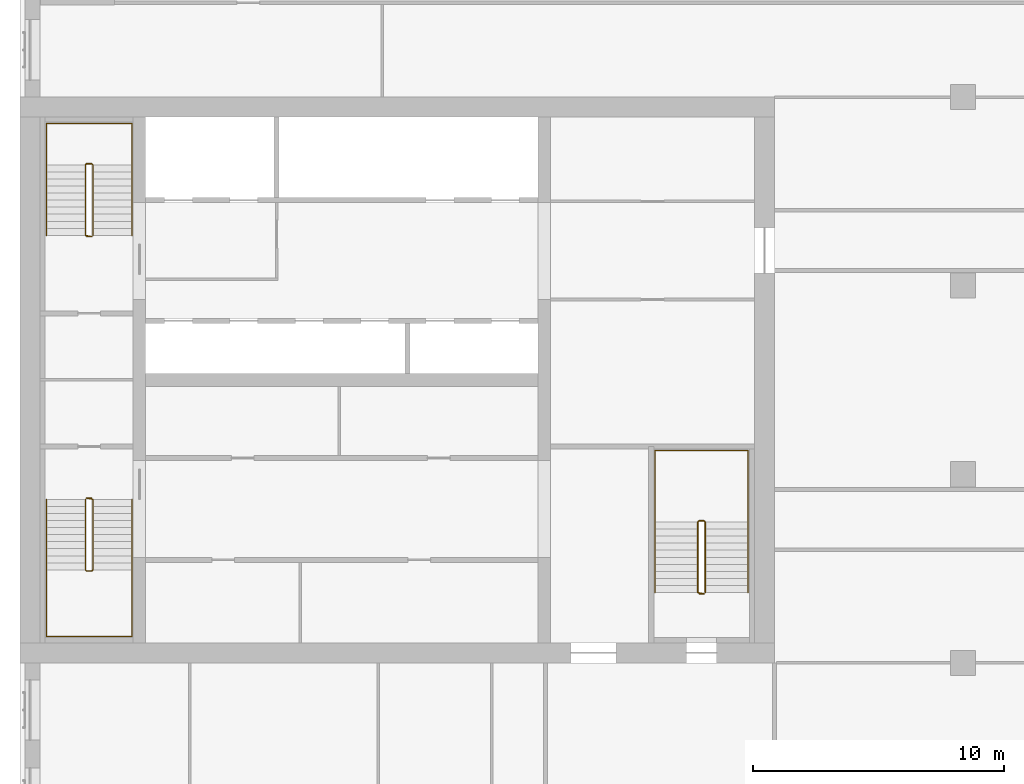
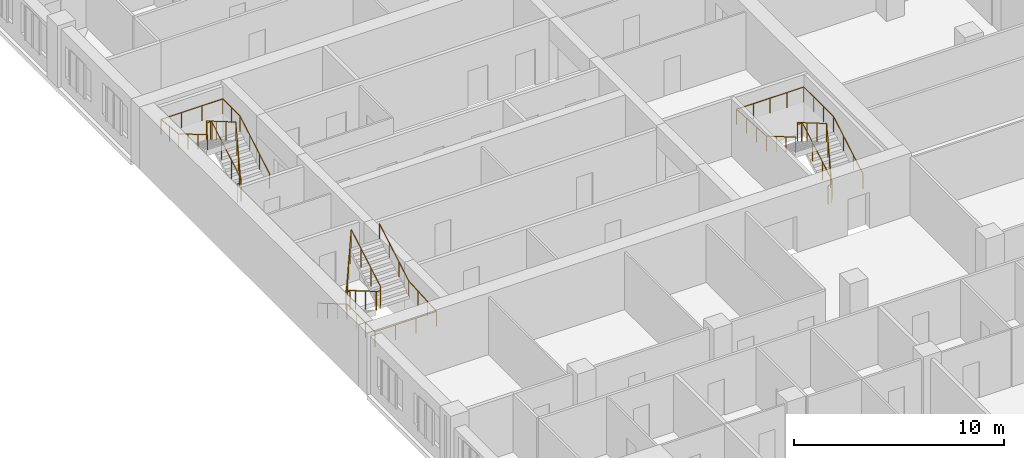
# One storey, part 14 of 14: 6 railings.
"""IFC4 building model written with IfcOpenShell, lengths in metres."""

from ifc_helpers import new_model, si_unit, direction, frame, origin, origin_2d, place, context, subcontext, project, spatial, circle, extrude, material, type_object, element, save


model = new_model("IFC4")

# Units and contexts
model_context = context("Model", 3, precision=1e-05, world=origin(), true_north=direction((0.0, 1.0)))
body_context = subcontext(model_context, "Body", "Model", "MODEL_VIEW")
ifc_project = project(units=[si_unit("LENGTHUNIT", "METRE"), si_unit("AREAUNIT", "SQUARE_METRE"), si_unit("VOLUMEUNIT", "CUBIC_METRE"), si_unit("PLANEANGLEUNIT", "RADIAN"), si_unit("MASSUNIT", "GRAM", prefix="KILO")], contexts=[model_context])

# Site, building, storey
site_placement = place(None, origin())
site = spatial("IfcSite", under=ifc_project, at=site_placement, CompositionType="ELEMENT")
building_placement = place(site_placement, origin())
building = spatial("IfcBuilding", under=site, at=building_placement, Name="Tamorin Gate", CompositionType="ELEMENT")
storey_placement = place(building_placement, frame((0.0, 0.0, 137.39990234375)))
storey = spatial("IfcBuildingStorey", under=building, at=storey_placement, Name="L33", CompositionType="ELEMENT", Elevation=137.39990234375)

# Railings
ifc_material_1 = material(Name="Painted steel balustrade", Category="steel")
railing_type_1 = type_object("IfcRailingType", Name="Stair guard 1100", PredefinedType="GUARDRAIL", material=ifc_material_1)
railing_1_placement = place(storey_placement, frame((32.60009765625, 66.5, 0.163818359375)))
element("IfcRailing", 1, at=railing_1_placement, inside=storey, type_object=railing_type_1, Name="L33 ST1 stair guard 1", PredefinedType="GUARDRAIL", context=body_context, shape_type="SweptSolid", body=[
    extrude(circle(Radius=0.02392578125, at=origin_2d()), frame((0.0, 0.0, 1.076171875), z_axis=(0.0, -0.863393664356, 0.504530851732), x_axis=(1.0, 0.0, 0.0)), (0.0, 0.0, 1.0), 3.2431640625),
    extrude(circle(Radius=0.02392578125, at=origin_2d()), frame((0.0, -2.800048828125, 2.71240234375), z_axis=(0.705375805398, -0.708833529934, 0.0), x_axis=(0.708833529934, 0.705375805398, 0.0)), (0.0, 0.0, 1.0), 0.070556640625),
    extrude(circle(Radius=0.02392578125, at=origin_2d()), frame((0.0498046875, -2.85009765625, 2.71240234375), z_axis=(1.0, 0.0, 0.0), x_axis=(0.0, 1.0, 0.0)), (0.0, 0.0, 1.0), 0.2001953125),
    extrude(circle(Radius=0.02392578125, at=origin_2d()), frame((0.25, -2.85009765625, 2.71240234375), z_axis=(0.279546231943, 0.280916556609, 0.91811752648), x_axis=(-0.708833529934, 0.705375805398, 0.0)), (0.0, 0.0, 1.0), 0.17822265625),
    extrude(circle(Radius=0.02392578125, at=origin_2d()), frame((0.2998046875, -2.800048828125, 2.8759765625), z_axis=(0.0, 0.863360870873, 0.504586966384), x_axis=(-1.0, 0.0, 0.0)), (0.0, 0.0, 1.0), 3.2431640625),
    extrude(circle(Radius=0.02392578125, at=origin_2d()), frame((0.2998046875, 0.0, 4.51220703125), z_axis=(-0.069269067181, 0.013867342551, -0.997501625634), x_axis=(-0.196300278283, -0.98054382908, 0.0)), (0.0, 0.0, 1.0), 3.609130859375),
    extrude(circle(Radius=0.02392578125, at=origin_2d()), frame((0.0498046875, 0.050048828125, 0.912109375), z_axis=(1.0, 0.0, 0.0), x_axis=(0.0, 1.0, 0.0)), (0.0, 0.0, 1.0), 0.2001953125),
    extrude(circle(Radius=0.02099609375, at=origin_2d()), origin(), (0.0, 0.0, 1.0), 1.052001953125),
    extrude(circle(Radius=0.02099609375, at=origin_2d()), frame((0.0, -0.933349609375, 0.54541015625)), (0.0, 0.0, 1.0), 1.052001953125),
    extrude(circle(Radius=0.02099609375, at=origin_2d()), frame((0.0, -1.86669921875, 1.0908203125)), (0.0, 0.0, 1.0), 1.052001953125),
    extrude(circle(Radius=0.02099609375, at=origin_2d()), frame((0.0, -2.800048828125, 1.63623046875)), (0.0, 0.0, 1.0), 1.052001953125),
    extrude(circle(Radius=0.02099609375, at=origin_2d()), frame((0.0498046875, -2.85009765625, 1.63623046875)), (0.0, 0.0, 1.0), 1.052001953125),
    extrude(circle(Radius=0.02099609375, at=origin_2d()), frame((0.25, -2.85009765625, 1.63623046875)), (0.0, 0.0, 1.0), 1.052001953125),
    extrude(circle(Radius=0.02099609375, at=origin_2d()), frame((0.2998046875, -2.800048828125, 1.7998046875)), (0.0, 0.0, 1.0), 1.052001953125),
    extrude(circle(Radius=0.02099609375, at=origin_2d()), frame((0.2998046875, -1.86669921875, 2.34521484375)), (0.0, 0.0, 1.0), 1.052001953125),
    extrude(circle(Radius=0.02099609375, at=origin_2d()), frame((0.2998046875, -0.933349609375, 2.890869140625)), (0.0, 0.0, 1.0), 1.052001953125),
    extrude(circle(Radius=0.02099609375, at=origin_2d()), frame((0.2998046875, 0.0, 3.436279296875)), (0.0, 0.0, 1.0), 1.052001953125),
    extrude(circle(Radius=0.02099609375, at=origin_2d()), frame((0.2373046875, 0.012451171875, 2.5361328125)), (0.0, 0.0, 1.0), 1.052001953125),
    extrude(circle(Radius=0.02099609375, at=origin_2d()), frame((0.1748046875, 0.02490234375, 1.63623046875)), (0.0, 0.0, 1.0), 1.052001953125),
    extrude(circle(Radius=0.02099609375, at=origin_2d()), frame((0.1123046875, 0.03759765625, 0.736328125)), (0.0, 0.0, 1.0), 1.052001953125),
    extrude(circle(Radius=0.02099609375, at=origin_2d()), frame((0.0498046875, 0.050048828125, -0.163818359375)), (0.0, 0.0, 1.0), 1.052001953125),
    extrude(circle(Radius=0.02099609375, at=origin_2d()), frame((0.25, 0.050048828125, -0.163818359375)), (0.0, 0.0, 1.0), 1.052001953125),
])
railing_2_placement = place(storey_placement, frame((32.89990234375, 77.0, 0.163818359375)))
element("IfcRailing", 2, at=railing_2_placement, inside=storey, type_object=railing_type_1, Name="L33 ST2 stair guard 1", PredefinedType="GUARDRAIL", context=body_context, shape_type="SweptSolid", body=[
    extrude(circle(Radius=0.02392578125, at=origin_2d()), frame((0.0, 0.0, 1.076171875), z_axis=(0.0, 0.863393664356, 0.504530851732), x_axis=(-1.0, 0.0, 0.0)), (0.0, 0.0, 1.0), 3.2431640625),
    extrude(circle(Radius=0.02392578125, at=origin_2d()), frame((0.0, 2.800048828125, 2.71240234375), z_axis=(-0.705375805398, 0.708833529934, 0.0), x_axis=(-0.708833529934, -0.705375805398, 0.0)), (0.0, 0.0, 1.0), 0.070556640625),
    extrude(circle(Radius=0.02392578125, at=origin_2d()), frame((-0.0498046875, 2.85009765625, 2.71240234375), z_axis=(-1.0, 0.0, 0.0), x_axis=(0.0, -1.0, 0.0)), (0.0, 0.0, 1.0), 0.2001953125),
    extrude(circle(Radius=0.02392578125, at=origin_2d()), frame((-0.25, 2.85009765625, 2.71240234375), z_axis=(-0.279546231943, -0.280916556609, 0.91811752648), x_axis=(0.708833529934, -0.705375805398, 0.0)), (0.0, 0.0, 1.0), 0.17822265625),
    extrude(circle(Radius=0.02392578125, at=origin_2d()), frame((-0.2998046875, 2.800048828125, 2.8759765625), z_axis=(0.0, -0.863360870873, 0.504586966384), x_axis=(1.0, 0.0, 0.0)), (0.0, 0.0, 1.0), 3.2431640625),
    extrude(circle(Radius=0.02392578125, at=origin_2d()), frame((-0.2998046875, 0.0, 4.51220703125), z_axis=(0.069269067181, -0.013867342551, -0.997501625634), x_axis=(0.196300278283, 0.98054382908, 0.0)), (0.0, 0.0, 1.0), 3.609130859375),
    extrude(circle(Radius=0.02392578125, at=origin_2d()), frame((-0.0498046875, -0.050048828125, 0.912109375), z_axis=(-1.0, 0.0, 0.0), x_axis=(0.0, -1.0, 0.0)), (0.0, 0.0, 1.0), 0.2001953125),
    extrude(circle(Radius=0.02099609375, at=origin_2d()), origin(), (0.0, 0.0, 1.0), 1.052001953125),
    extrude(circle(Radius=0.02099609375, at=origin_2d()), frame((0.0, 0.933349609375, 0.54541015625)), (0.0, 0.0, 1.0), 1.052001953125),
    extrude(circle(Radius=0.02099609375, at=origin_2d()), frame((0.0, 1.86669921875, 1.0908203125)), (0.0, 0.0, 1.0), 1.052001953125),
    extrude(circle(Radius=0.02099609375, at=origin_2d()), frame((0.0, 2.800048828125, 1.63623046875)), (0.0, 0.0, 1.0), 1.052001953125),
    extrude(circle(Radius=0.02099609375, at=origin_2d()), frame((-0.0498046875, 2.85009765625, 1.63623046875)), (0.0, 0.0, 1.0), 1.052001953125),
    extrude(circle(Radius=0.02099609375, at=origin_2d()), frame((-0.25, 2.85009765625, 1.63623046875)), (0.0, 0.0, 1.0), 1.052001953125),
    extrude(circle(Radius=0.02099609375, at=origin_2d()), frame((-0.2998046875, 2.800048828125, 1.7998046875)), (0.0, 0.0, 1.0), 1.052001953125),
    extrude(circle(Radius=0.02099609375, at=origin_2d()), frame((-0.2998046875, 1.86669921875, 2.34521484375)), (0.0, 0.0, 1.0), 1.052001953125),
    extrude(circle(Radius=0.02099609375, at=origin_2d()), frame((-0.2998046875, 0.933349609375, 2.890869140625)), (0.0, 0.0, 1.0), 1.052001953125),
    extrude(circle(Radius=0.02099609375, at=origin_2d()), frame((-0.2998046875, 0.0, 3.436279296875)), (0.0, 0.0, 1.0), 1.052001953125),
    extrude(circle(Radius=0.02099609375, at=origin_2d()), frame((-0.2373046875, -0.012451171875, 2.5361328125)), (0.0, 0.0, 1.0), 1.052001953125),
    extrude(circle(Radius=0.02099609375, at=origin_2d()), frame((-0.1748046875, -0.02490234375, 1.63623046875)), (0.0, 0.0, 1.0), 1.052001953125),
    extrude(circle(Radius=0.02099609375, at=origin_2d()), frame((-0.1123046875, -0.03759765625, 0.736328125)), (0.0, 0.0, 1.0), 1.052001953125),
    extrude(circle(Radius=0.02099609375, at=origin_2d()), frame((-0.0498046875, -0.050048828125, -0.163818359375)), (0.0, 0.0, 1.0), 1.052001953125),
    extrude(circle(Radius=0.02099609375, at=origin_2d()), frame((-0.25, -0.050048828125, -0.163818359375)), (0.0, 0.0, 1.0), 1.052001953125),
])
railing_3_placement = place(storey_placement, frame((57.25, 62.800048828125, 0.163818359375)))
element("IfcRailing", 3, at=railing_3_placement, inside=storey, type_object=railing_type_1, Name="L33 ST3 stair guard 1", PredefinedType="GUARDRAIL", context=body_context, shape_type="SweptSolid", body=[
    extrude(circle(Radius=0.02392578125, at=origin_2d()), frame((0.0, 0.0, 1.076171875), z_axis=(0.0, 0.863393664356, 0.504530851732), x_axis=(-1.0, 0.0, 0.0)), (0.0, 0.0, 1.0), 3.2431640625),
    extrude(circle(Radius=0.02392578125, at=origin_2d()), frame((0.0, 2.800048828125, 2.71240234375), z_axis=(-0.708833529934, 0.705375805398, 0.0), x_axis=(-0.705375805398, -0.708833529934, 0.0)), (0.0, 0.0, 1.0), 0.070556640625),
    extrude(circle(Radius=0.02392578125, at=origin_2d()), frame((-0.050048828125, 2.849853515625, 2.71240234375), z_axis=(-1.0, 0.0, 0.0), x_axis=(0.0, -1.0, 0.0)), (0.0, 0.0, 1.0), 0.199951171875),
    extrude(circle(Radius=0.02392578125, at=origin_2d()), frame((-0.25, 2.849853515625, 2.71240234375), z_axis=(-0.280916556609, -0.279546231943, 0.91811752648), x_axis=(0.705375805398, -0.708833529934, 0.0)), (0.0, 0.0, 1.0), 0.17822265625),
    extrude(circle(Radius=0.02392578125, at=origin_2d()), frame((-0.300048828125, 2.800048828125, 2.8759765625), z_axis=(0.0, -0.863360870873, 0.504586966384), x_axis=(1.0, 0.0, 0.0)), (0.0, 0.0, 1.0), 3.2431640625),
    extrude(circle(Radius=0.02392578125, at=origin_2d()), frame((-0.300048828125, 0.0, 4.51220703125), z_axis=(0.069269067181, -0.013867342551, -0.997501625634), x_axis=(0.196300278283, 0.98054382908, 0.0)), (0.0, 0.0, 1.0), 3.609130859375),
    extrude(circle(Radius=0.02392578125, at=origin_2d()), frame((-0.050048828125, -0.050048828125, 0.912109375), z_axis=(-1.0, 0.0, 0.0), x_axis=(0.0, -1.0, 0.0)), (0.0, 0.0, 1.0), 0.199951171875),
    extrude(circle(Radius=0.02099609375, at=origin_2d()), origin(), (0.0, 0.0, 1.0), 1.052001953125),
    extrude(circle(Radius=0.02099609375, at=origin_2d()), frame((0.0, 0.933349609375, 0.54541015625)), (0.0, 0.0, 1.0), 1.052001953125),
    extrude(circle(Radius=0.02099609375, at=origin_2d()), frame((0.0, 1.86669921875, 1.0908203125)), (0.0, 0.0, 1.0), 1.052001953125),
    extrude(circle(Radius=0.02099609375, at=origin_2d()), frame((0.0, 2.800048828125, 1.63623046875)), (0.0, 0.0, 1.0), 1.052001953125),
    extrude(circle(Radius=0.02099609375, at=origin_2d()), frame((-0.050048828125, 2.849853515625, 1.63623046875)), (0.0, 0.0, 1.0), 1.052001953125),
    extrude(circle(Radius=0.02099609375, at=origin_2d()), frame((-0.25, 2.849853515625, 1.63623046875)), (0.0, 0.0, 1.0), 1.052001953125),
    extrude(circle(Radius=0.02099609375, at=origin_2d()), frame((-0.300048828125, 2.800048828125, 1.7998046875)), (0.0, 0.0, 1.0), 1.052001953125),
    extrude(circle(Radius=0.02099609375, at=origin_2d()), frame((-0.300048828125, 1.86669921875, 2.34521484375)), (0.0, 0.0, 1.0), 1.052001953125),
    extrude(circle(Radius=0.02099609375, at=origin_2d()), frame((-0.300048828125, 0.933349609375, 2.890869140625)), (0.0, 0.0, 1.0), 1.052001953125),
    extrude(circle(Radius=0.02099609375, at=origin_2d()), frame((-0.300048828125, 0.0, 3.436279296875)), (0.0, 0.0, 1.0), 1.052001953125),
    extrude(circle(Radius=0.02099609375, at=origin_2d()), frame((-0.237548828125, -0.012451171875, 2.5361328125)), (0.0, 0.0, 1.0), 1.052001953125),
    extrude(circle(Radius=0.02099609375, at=origin_2d()), frame((-0.175048828125, -0.02490234375, 1.63623046875)), (0.0, 0.0, 1.0), 1.052001953125),
    extrude(circle(Radius=0.02099609375, at=origin_2d()), frame((-0.112548828125, -0.03759765625, 0.736328125)), (0.0, 0.0, 1.0), 1.052001953125),
    extrude(circle(Radius=0.02099609375, at=origin_2d()), frame((-0.050048828125, -0.050048828125, -0.163818359375)), (0.0, 0.0, 1.0), 1.052001953125),
    extrude(circle(Radius=0.02099609375, at=origin_2d()), frame((-0.25, -0.050048828125, -0.163818359375)), (0.0, 0.0, 1.0), 1.052001953125),
])
ifc_material_2 = material(Name="Painted steel handrail", Category="steel")
railing_type_2 = type_object("IfcRailingType", Name="Stair handrail 900", PredefinedType="HANDRAIL", material=ifc_material_2)
railing_4_placement = place(storey_placement, frame((31.050048828125, 66.5, 0.163818359375)))
element("IfcRailing", 4, at=railing_4_placement, inside=storey, type_object=railing_type_2, Name="L33 ST1 stair handrail 1", PredefinedType="HANDRAIL", context=body_context, shape_type="SweptSolid", body=[
    extrude(circle(Radius=0.02392578125, at=origin_2d()), frame((0.0, 0.0, 0.8759765625), z_axis=(0.0, -0.863393664356, 0.504530851732), x_axis=(1.0, 0.0, 0.0)), (0.0, 0.0, 1.0), 3.2431640625),
    extrude(circle(Radius=0.02392578125, at=origin_2d()), frame((0.0, -2.800048828125, 2.51220703125), z_axis=(0.0, -1.0, 0.0), x_axis=(1.0, 0.0, 0.0)), (0.0, 0.0, 1.0), 2.64990234375),
    extrude(circle(Radius=0.02392578125, at=origin_2d()), frame((0.0, -5.449951171875, 2.51220703125), z_axis=(1.0, 0.0, 0.0), x_axis=(0.0, 1.0, 0.0)), (0.0, 0.0, 1.0), 3.39990234375),
    extrude(circle(Radius=0.02392578125, at=origin_2d()), frame((3.39990234375, -5.449951171875, 2.51220703125), z_axis=(0.0, 0.998100230056, 0.061611125312), x_axis=(-1.0, 0.0, 0.0)), (0.0, 0.0, 1.0), 2.655029296875),
    extrude(circle(Radius=0.02392578125, at=origin_2d()), frame((3.39990234375, -2.800048828125, 2.67578125), z_axis=(0.0, 0.863360870873, 0.504586966384), x_axis=(-1.0, 0.0, 0.0)), (0.0, 0.0, 1.0), 3.2431640625),
    extrude(circle(Radius=0.02099609375, at=origin_2d()), origin(), (0.0, 0.0, 1.0), 0.851806640625),
    extrude(circle(Radius=0.02099609375, at=origin_2d()), frame((0.0, -0.933349609375, 0.54541015625)), (0.0, 0.0, 1.0), 0.851806640625),
    extrude(circle(Radius=0.02099609375, at=origin_2d()), frame((0.0, -1.86669921875, 1.0908203125)), (0.0, 0.0, 1.0), 0.851806640625),
    extrude(circle(Radius=0.02099609375, at=origin_2d()), frame((0.0, -2.800048828125, 1.63623046875)), (0.0, 0.0, 1.0), 0.851806640625),
    extrude(circle(Radius=0.02099609375, at=origin_2d()), frame((0.0, -3.683349609375, 1.63623046875)), (0.0, 0.0, 1.0), 0.851806640625),
    extrude(circle(Radius=0.02099609375, at=origin_2d()), frame((0.0, -4.566650390625, 1.63623046875)), (0.0, 0.0, 1.0), 0.851806640625),
    extrude(circle(Radius=0.02099609375, at=origin_2d()), frame((0.0, -5.449951171875, 1.63623046875)), (0.0, 0.0, 1.0), 0.851806640625),
    extrude(circle(Radius=0.02099609375, at=origin_2d()), frame((1.13330078125, -5.449951171875, 1.63623046875)), (0.0, 0.0, 1.0), 0.851806640625),
    extrude(circle(Radius=0.02099609375, at=origin_2d()), frame((2.2666015625, -5.449951171875, 1.63623046875)), (0.0, 0.0, 1.0), 0.851806640625),
    extrude(circle(Radius=0.02099609375, at=origin_2d()), frame((3.39990234375, -5.449951171875, 1.63623046875)), (0.0, 0.0, 1.0), 0.851806640625),
    extrude(circle(Radius=0.02099609375, at=origin_2d()), frame((3.39990234375, -4.566650390625, 1.690673828125)), (0.0, 0.0, 1.0), 0.851806640625),
    extrude(circle(Radius=0.02099609375, at=origin_2d()), frame((3.39990234375, -3.683349609375, 1.745361328125)), (0.0, 0.0, 1.0), 0.851806640625),
    extrude(circle(Radius=0.02099609375, at=origin_2d()), frame((3.39990234375, -2.800048828125, 1.7998046875)), (0.0, 0.0, 1.0), 0.851806640625),
    extrude(circle(Radius=0.02099609375, at=origin_2d()), frame((3.39990234375, -1.86669921875, 2.34521484375)), (0.0, 0.0, 1.0), 0.851806640625),
    extrude(circle(Radius=0.02099609375, at=origin_2d()), frame((3.39990234375, -0.933349609375, 2.890869140625)), (0.0, 0.0, 1.0), 0.851806640625),
    extrude(circle(Radius=0.02099609375, at=origin_2d()), frame((3.39990234375, 0.0, 3.436279296875)), (0.0, 0.0, 1.0), 0.851806640625),
])
railing_5_placement = place(storey_placement, frame((34.449951171875, 77.0, 0.163818359375)))
element("IfcRailing", 5, at=railing_5_placement, inside=storey, type_object=railing_type_2, Name="L33 ST2 stair handrail 1", PredefinedType="HANDRAIL", context=body_context, shape_type="SweptSolid", body=[
    extrude(circle(Radius=0.02392578125, at=origin_2d()), frame((0.0, 0.0, 0.8759765625), z_axis=(0.0, 0.863393664356, 0.504530851732), x_axis=(-1.0, 0.0, 0.0)), (0.0, 0.0, 1.0), 3.2431640625),
    extrude(circle(Radius=0.02392578125, at=origin_2d()), frame((0.0, 2.800048828125, 2.51220703125), z_axis=(0.0, 1.0, 0.0), x_axis=(-1.0, 0.0, 0.0)), (0.0, 0.0, 1.0), 1.64990234375),
    extrude(circle(Radius=0.02392578125, at=origin_2d()), frame((0.0, 4.449951171875, 2.51220703125), z_axis=(-1.0, 0.0, 0.0), x_axis=(0.0, -1.0, 0.0)), (0.0, 0.0, 1.0), 3.39990234375),
    extrude(circle(Radius=0.02392578125, at=origin_2d()), frame((-3.39990234375, 4.449951171875, 2.51220703125), z_axis=(0.0, -0.995121390814, 0.098658084026), x_axis=(1.0, 0.0, 0.0)), (0.0, 0.0, 1.0), 1.657958984375),
    extrude(circle(Radius=0.02392578125, at=origin_2d()), frame((-3.39990234375, 2.800048828125, 2.67578125), z_axis=(0.0, -0.863360870873, 0.504586966384), x_axis=(1.0, 0.0, 0.0)), (0.0, 0.0, 1.0), 3.2431640625),
    extrude(circle(Radius=0.02099609375, at=origin_2d()), origin(), (0.0, 0.0, 1.0), 0.851806640625),
    extrude(circle(Radius=0.02099609375, at=origin_2d()), frame((0.0, 0.933349609375, 0.54541015625)), (0.0, 0.0, 1.0), 0.851806640625),
    extrude(circle(Radius=0.02099609375, at=origin_2d()), frame((0.0, 1.86669921875, 1.0908203125)), (0.0, 0.0, 1.0), 0.851806640625),
    extrude(circle(Radius=0.02099609375, at=origin_2d()), frame((0.0, 2.800048828125, 1.63623046875)), (0.0, 0.0, 1.0), 0.851806640625),
    extrude(circle(Radius=0.02099609375, at=origin_2d()), frame((0.0, 3.625, 1.63623046875)), (0.0, 0.0, 1.0), 0.851806640625),
    extrude(circle(Radius=0.02099609375, at=origin_2d()), frame((0.0, 4.449951171875, 1.63623046875)), (0.0, 0.0, 1.0), 0.851806640625),
    extrude(circle(Radius=0.02099609375, at=origin_2d()), frame((-1.13330078125, 4.449951171875, 1.63623046875)), (0.0, 0.0, 1.0), 0.851806640625),
    extrude(circle(Radius=0.02099609375, at=origin_2d()), frame((-2.2666015625, 4.449951171875, 1.63623046875)), (0.0, 0.0, 1.0), 0.851806640625),
    extrude(circle(Radius=0.02099609375, at=origin_2d()), frame((-3.39990234375, 4.449951171875, 1.63623046875)), (0.0, 0.0, 1.0), 0.851806640625),
    extrude(circle(Radius=0.02099609375, at=origin_2d()), frame((-3.39990234375, 3.625, 1.718017578125)), (0.0, 0.0, 1.0), 0.851806640625),
    extrude(circle(Radius=0.02099609375, at=origin_2d()), frame((-3.39990234375, 2.800048828125, 1.7998046875)), (0.0, 0.0, 1.0), 0.851806640625),
    extrude(circle(Radius=0.02099609375, at=origin_2d()), frame((-3.39990234375, 1.86669921875, 2.34521484375)), (0.0, 0.0, 1.0), 0.851806640625),
    extrude(circle(Radius=0.02099609375, at=origin_2d()), frame((-3.39990234375, 0.933349609375, 2.890869140625)), (0.0, 0.0, 1.0), 0.851806640625),
    extrude(circle(Radius=0.02099609375, at=origin_2d()), frame((-3.39990234375, 0.0, 3.436279296875)), (0.0, 0.0, 1.0), 0.851806640625),
])
railing_6_placement = place(storey_placement, frame((58.949951171875, 62.800048828125, 0.163818359375)))
element("IfcRailing", 6, at=railing_6_placement, inside=storey, type_object=railing_type_2, Name="L33 ST3 stair handrail 1", PredefinedType="HANDRAIL", context=body_context, shape_type="SweptSolid", body=[
    extrude(circle(Radius=0.02392578125, at=origin_2d()), frame((0.0, 0.0, 0.8759765625), z_axis=(0.0, 0.863393664356, 0.504530851732), x_axis=(-1.0, 0.0, 0.0)), (0.0, 0.0, 1.0), 3.2431640625),
    extrude(circle(Radius=0.02392578125, at=origin_2d()), frame((0.0, 2.800048828125, 2.51220703125), z_axis=(0.0, 1.0, 0.0), x_axis=(-1.0, 0.0, 0.0)), (0.0, 0.0, 1.0), 2.849853515625),
    extrude(circle(Radius=0.02392578125, at=origin_2d()), frame((0.0, 5.64990234375, 2.51220703125), z_axis=(-1.0, 0.0, 0.0), x_axis=(0.0, -1.0, 0.0)), (0.0, 0.0, 1.0), 3.699951171875),
    extrude(circle(Radius=0.02392578125, at=origin_2d()), frame((-3.699951171875, 5.64990234375, 2.51220703125), z_axis=(0.0, -0.998356827416, 0.057303098978), x_axis=(1.0, 0.0, 0.0)), (0.0, 0.0, 1.0), 2.8544921875),
    extrude(circle(Radius=0.02392578125, at=origin_2d()), frame((-3.699951171875, 2.800048828125, 2.67578125), z_axis=(0.0, -0.863360870873, 0.504586966384), x_axis=(1.0, 0.0, 0.0)), (0.0, 0.0, 1.0), 3.2431640625),
    extrude(circle(Radius=0.02099609375, at=origin_2d()), origin(), (0.0, 0.0, 1.0), 0.851806640625),
    extrude(circle(Radius=0.02099609375, at=origin_2d()), frame((0.0, 0.933349609375, 0.54541015625)), (0.0, 0.0, 1.0), 0.851806640625),
    extrude(circle(Radius=0.02099609375, at=origin_2d()), frame((0.0, 1.86669921875, 1.0908203125)), (0.0, 0.0, 1.0), 0.851806640625),
    extrude(circle(Radius=0.02099609375, at=origin_2d()), frame((0.0, 2.800048828125, 1.63623046875)), (0.0, 0.0, 1.0), 0.851806640625),
    extrude(circle(Radius=0.02099609375, at=origin_2d()), frame((0.0, 3.75, 1.63623046875)), (0.0, 0.0, 1.0), 0.851806640625),
    extrude(circle(Radius=0.02099609375, at=origin_2d()), frame((0.0, 4.699951171875, 1.63623046875)), (0.0, 0.0, 1.0), 0.851806640625),
    extrude(circle(Radius=0.02099609375, at=origin_2d()), frame((0.0, 5.64990234375, 1.63623046875)), (0.0, 0.0, 1.0), 0.851806640625),
    extrude(circle(Radius=0.02099609375, at=origin_2d()), frame((-0.925048828125, 5.64990234375, 1.63623046875)), (0.0, 0.0, 1.0), 0.851806640625),
    extrude(circle(Radius=0.02099609375, at=origin_2d()), frame((-1.85009765625, 5.64990234375, 1.63623046875)), (0.0, 0.0, 1.0), 0.851806640625),
    extrude(circle(Radius=0.02099609375, at=origin_2d()), frame((-2.77490234375, 5.64990234375, 1.63623046875)), (0.0, 0.0, 1.0), 0.851806640625),
    extrude(circle(Radius=0.02099609375, at=origin_2d()), frame((-3.699951171875, 5.64990234375, 1.63623046875)), (0.0, 0.0, 1.0), 0.851806640625),
    extrude(circle(Radius=0.02099609375, at=origin_2d()), frame((-3.699951171875, 4.699951171875, 1.690673828125)), (0.0, 0.0, 1.0), 0.851806640625),
    extrude(circle(Radius=0.02099609375, at=origin_2d()), frame((-3.699951171875, 3.75, 1.745361328125)), (0.0, 0.0, 1.0), 0.851806640625),
    extrude(circle(Radius=0.02099609375, at=origin_2d()), frame((-3.699951171875, 2.800048828125, 1.7998046875)), (0.0, 0.0, 1.0), 0.851806640625),
    extrude(circle(Radius=0.02099609375, at=origin_2d()), frame((-3.699951171875, 1.86669921875, 2.34521484375)), (0.0, 0.0, 1.0), 0.851806640625),
    extrude(circle(Radius=0.02099609375, at=origin_2d()), frame((-3.699951171875, 0.933349609375, 2.890869140625)), (0.0, 0.0, 1.0), 0.851806640625),
    extrude(circle(Radius=0.02099609375, at=origin_2d()), frame((-3.699951171875, 0.0, 3.436279296875)), (0.0, 0.0, 1.0), 0.851806640625),
])

save(model, "model.ifc")
